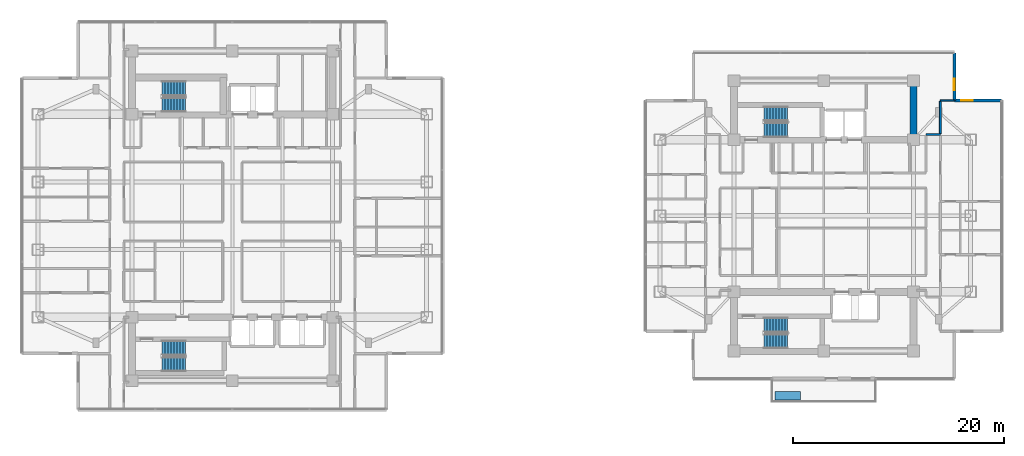
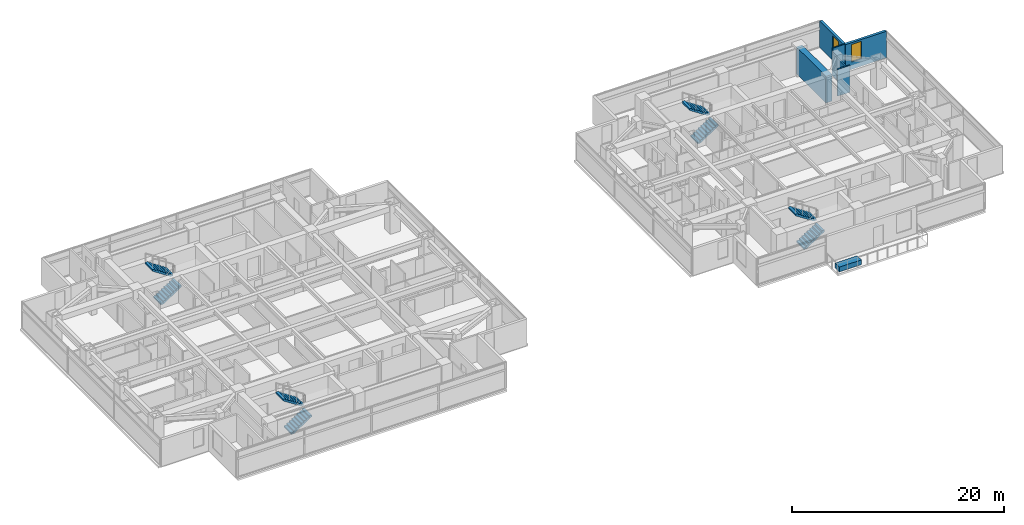
# One storey, part 19 of 24: 8 stair flights, 6 walls, 2 windows, 1 discrete accessory, 2 openings, 4 elements without a shape of their own.
"""IFC4 building model written with IfcOpenShell, lengths in metres."""

from ifc_helpers import new_model, si_unit, direction, frame, frame_2d, origin, origin_2d, place, context, subcontext, project, spatial, polyline, rectangle, outline, extrude, material, layer, layer_set, type_object, element, fill, aggregate, save


model = new_model("IFC4")

# Units and contexts
model_context = context("Model", 3, precision=1e-05, world=origin(), true_north=direction((0.0, 1.0)))
body_context = subcontext(model_context, "Body", "Model", "MODEL_VIEW")
ifc_project = project(units=[si_unit("LENGTHUNIT", "METRE"), si_unit("AREAUNIT", "SQUARE_METRE"), si_unit("VOLUMEUNIT", "CUBIC_METRE"), si_unit("PLANEANGLEUNIT", "RADIAN"), si_unit("MASSUNIT", "GRAM", prefix="KILO")], contexts=[model_context])

# Site, building, storey
site_placement = place(None, origin())
site = spatial("IfcSite", under=ifc_project, at=site_placement, CompositionType="ELEMENT")
building_placement = place(site_placement, origin())
building = spatial("IfcBuilding", under=site, at=building_placement, Name="Mirazonda Arch Towers", CompositionType="ELEMENT")
storey_placement = place(building_placement, frame((0.0, 0.0, 118.10009765625)))
storey = spatial("IfcBuildingStorey", under=building, at=storey_placement, Name="L33", CompositionType="ELEMENT", Elevation=118.10009765625)

# Wall
ifc_material_1 = material(Name="Concrete C60/75", Category="concrete")
ifc_layer_1 = layer(ifc_material_1, 0.64990234375, Name="WALL-CORE-650")
ifc_layer_set_1 = layer_set([ifc_layer_1], Name="Concrete C60/75")
wall_type_1 = type_object("IfcWallType", Name="WALL-CORE-650", PredefinedType="SHEAR", material=ifc_layer_set_1)
wall_1_placement = place(storey_placement, frame((85.0, 35.199951171875, 0.0), z_axis=(0.0, 0.0, 1.0), x_axis=(0.0, 1.0, 0.0)))
element("IfcWall", 1, at=wall_1_placement, inside=storey, type_object=wall_type_1, Name="L33 T2N-E Core Shear Wall", PredefinedType="SHEAR", context=body_context, shape_type="SweptSolid", body=[
    extrude(rectangle(XDim=5.60009765625, YDim=0.64990234375, at=frame_2d((2.800048828125, 0.0))), origin(), (0.0, 0.0, 1.0), 3.079833984375),
])

# Wall, opening, window
ifc_material_2 = material(Name="Precast Concrete C40/50", Category="concrete")
ifc_layer_2 = layer(ifc_material_2, 0.280029296875, Name="WALL-EXT-WALL-280")
ifc_layer_set_2 = layer_set([ifc_layer_2], Name="Precast Concrete C40/50")
wall_type_2 = type_object("IfcWallType", Name="WALL-EXT-WALL-280", PredefinedType="SOLIDWALL", material=ifc_layer_set_2)
wall_2_placement = place(storey_placement, frame((88.8583984375, 38.9326171875, 0.0), z_axis=(0.0, 0.0, 1.0), x_axis=(0.0, 1.0, 0.0)))
wall_2 = element("IfcWall", 2, at=wall_2_placement, inside=storey, type_object=wall_type_2, Name="L33 T2 Notched NE Corner Wall WL-L33-T2-CNE", PredefinedType="SOLIDWALL", context=body_context, shape_type="SweptSolid", body=[
    extrude(rectangle(XDim=4.486328125, YDim=0.280029296875, at=frame_2d((2.2431640625, 0.0))), origin(), (0.0, 0.0, 1.0), 3.059814453125),
])
opening_1_placement = place(wall_2_placement, frame((0.949951171875, 0.0, 0.85009765625)))
opening_1 = element("IfcOpeningElement", 3, at=opening_1_placement, cuts=wall_2, Name="Opening WN-108", PredefinedType="OPENING", context=body_context, shape_type="SweptSolid", body=[
    extrude(rectangle(XDim=1.10009765625, YDim=2.0, at=frame_2d((0.550048828125, 1.0))), frame((0.0, 0.14990234375, 0.0), z_axis=(0.0, -1.0, 0.0), x_axis=(1.0, 0.0, 0.0)), (0.0, 0.0, 1.0), 0.300048828125),
])
ifc_material_3 = material(Name="Insulated Low-E Solar Glass", Category="glass")
window_type = type_object("IfcWindowType", Name="WIN-NOTCH-1100x2000", PartitioningType="SINGLE_PANEL", PredefinedType="WINDOW", material=ifc_material_3)
window_1_placement = place(opening_1_placement, origin())
window_1 = element("IfcWindow", 4, at=window_1_placement, inside=storey, type_object=window_type, Name="L33 Punched Facade Window WN-L33-T2-CNE", OverallHeight=2.0, OverallWidth=1.10009765625, PartitioningType="SINGLE_PANEL", PredefinedType="WINDOW", context=body_context, shape_type="SweptSolid", body=[
    extrude(rectangle(XDim=1.10009765625, YDim=2.0, at=frame_2d((0.550048828125, 1.0))), frame((0.0, 0.030029296875, 0.0), z_axis=(0.0, -1.0, 0.0), x_axis=(1.0, 0.0, 0.0)), (0.0, 0.0, 1.0), 0.06005859375),
])
fill(opening_1, window_1)

wall_3_placement = place(storey_placement, frame((93.344970703125, 38.9326171875, 0.0), z_axis=(0.0, 0.0, 1.0), x_axis=(-1.0, 0.0, 0.0)))
wall_3 = element("IfcWall", 5, at=wall_3_placement, inside=storey, type_object=wall_type_2, Name="L33 T2 Corner Notch Return Wall WL-L33-T2-CNE2", PredefinedType="SOLIDWALL", context=body_context, shape_type="SweptSolid", body=[
    extrude(rectangle(XDim=4.486572265625, YDim=0.280029296875, at=frame_2d((2.2431640625, 0.0))), origin(), (0.0, 0.0, 1.0), 3.059814453125),
])
opening_2_placement = place(wall_3_placement, frame((2.737060546875, 0.0, 0.85009765625)))
opening_2 = element("IfcOpeningElement", 6, at=opening_2_placement, cuts=wall_3, Name="Opening WN-108", PredefinedType="OPENING", context=body_context, shape_type="SweptSolid", body=[
    extrude(rectangle(XDim=1.10009765625, YDim=2.0, at=frame_2d((0.550048828125, 1.0))), frame((0.0, 0.14990234375, 0.0), z_axis=(0.0, -1.0, 0.0), x_axis=(1.0, 0.0, 0.0)), (0.0, 0.0, 1.0), 0.300048828125),
])
window_2_placement = place(opening_2_placement, origin())
window_2 = element("IfcWindow", 7, at=window_2_placement, inside=storey, type_object=window_type, Name="L33 Punched Facade Window WN-L33-T2-CNE2", OverallHeight=2.0, OverallWidth=1.10009765625, PartitioningType="SINGLE_PANEL", PredefinedType="WINDOW", context=body_context, shape_type="SweptSolid", body=[
    extrude(rectangle(XDim=1.10009765625, YDim=2.0, at=frame_2d((0.550048828125, 1.0))), frame((0.0, 0.030029296875, 0.0), z_axis=(0.0, -1.0, 0.0), x_axis=(1.0, 0.0, 0.0)), (0.0, 0.0, 1.0), 0.06005859375),
])
fill(opening_2, window_2)

# Walls
ifc_material_4 = material(Name="Fire-Rated Gypsum Stud Partition")
ifc_layer_3 = layer(ifc_material_4, 0.14990234375, Name="WALL-PART-CORR-150")
ifc_layer_set_3 = layer_set([ifc_layer_3], Name="Fire-Rated Gypsum Stud Partition")
wall_type_3 = type_object("IfcWallType", Name="WALL-PART-CORR-150", PredefinedType="PARTITIONING", material=ifc_layer_set_3)
wall_4_placement = place(storey_placement, frame((86.179931640625, 35.699951171875, 0.0), z_axis=(0.0, 0.0, 1.0), x_axis=(1.0, 0.0, 0.0)))
element("IfcWall", 8, at=wall_4_placement, inside=storey, type_object=wall_type_3, Name="L33 Interior Partition 053", PredefinedType="PARTITIONING", context=body_context, shape_type="SweptSolid", body=[
    extrude(rectangle(XDim=1.360107421875, YDim=0.14990234375, at=frame_2d((0.68017578125, 0.0))), origin(), (0.0, 0.0, 1.0), 3.079833984375),
])
wall_5_placement = place(storey_placement, frame((87.5400390625, 38.93310546875, 0.0), z_axis=(0.0, 0.0, 1.0), x_axis=(1.0, 0.0, 0.0)))
element("IfcWall", 9, at=wall_5_placement, inside=storey, type_object=wall_type_3, Name="L33 Interior Partition 057", PredefinedType="PARTITIONING", context=body_context, shape_type="SweptSolid", body=[
    extrude(rectangle(XDim=1.29833984375, YDim=0.14990234375, at=frame_2d((0.649169921875, 0.0))), origin(), (0.0, 0.0, 1.0), 3.079833984375),
])
ifc_material_5 = material(Name="Fire-Rated Gypsum Twin-Stud Assembly")
ifc_layer_4 = layer(ifc_material_5, 0.179931640625, Name="WALL-PART-DEMISE-180")
ifc_layer_set_4 = layer_set([ifc_layer_4], Name="Fire-Rated Gypsum Twin-Stud Assembly")
wall_type_4 = type_object("IfcWallType", Name="WALL-PART-DEMISE-180", PredefinedType="PARTITIONING", material=ifc_layer_set_4)
wall_6_placement = place(storey_placement, frame((87.5400390625, 35.784912109375, 0.0), z_axis=(0.0, 0.0, 1.0), x_axis=(0.0, 1.0, 0.0)))
element("IfcWall", 10, at=wall_6_placement, inside=storey, type_object=wall_type_4, Name="L33 Interior Partition 161", PredefinedType="PARTITIONING", context=body_context, shape_type="SweptSolid", body=[
    extrude(rectangle(XDim=3.06298828125, YDim=0.179931640625, at=frame_2d((1.531494140625, 0.0))), origin(), (0.0, 0.0, 1.0), 2.52294921875),
])

# Stair, stair flights
ifc_material_6 = material(Name="Concrete C40/50", Category="concrete")
stair_type = type_object("IfcStairType", Name="STAIR-CORE-1400", PredefinedType="HALF_TURN_STAIR", material=ifc_material_6)
stair_1_placement = place(storey_placement, origin())
stair_1 = element("IfcStair", 11, at=stair_1_placement, inside=storey, type_object=stair_type, Name="L33 Protected Exit Stair ST-T1N", PredefinedType="HALF_TURN_STAIR")
stair_flight_type = type_object("IfcStairFlightType", Name="FLIGHT-1400", PredefinedType="STRAIGHT", material=ifc_material_6)
stair_flight_1_placement = place(storey_placement, frame((13.85009765625, 38.52001953125, 0.0), z_axis=(0.0, 0.0, 1.0), x_axis=(1.0, 0.0, 0.0)))
stair_flight_1 = element("IfcStairFlight", 12, at=stair_flight_1_placement, type_object=stair_flight_type, Name="ST-T1N flight 1", NumberOfRisers=9, NumberOfTreads=8, PredefinedType="STRAIGHT", RiserHeight=0.183333333, TreadLength=0.28, context=body_context, shape_type="SweptSolid", body=[
    extrude(outline(polyline([(0.0, 0.0), (0.0, 0.183349609375), (0.280029296875, 0.183349609375), (0.280029296875, 0.36669921875), (0.56005859375, 0.36669921875), (0.56005859375, 0.550048828125), (0.840087890625, 0.550048828125), (0.840087890625, 0.7333984375), (1.1201171875, 0.7333984375), (1.1201171875, 0.916748046875), (1.39990234375, 0.916748046875), (1.39990234375, 1.10009765625), (1.679931640625, 1.10009765625), (1.679931640625, 1.283447265625), (1.9599609375, 1.283447265625), (1.9599609375, 1.466552734375), (2.239990234375, 1.466552734375), (2.239990234375, 1.64990234375), (2.239990234375, 1.275634765625), (0.2919921875, 0.0), (0.0, 0.0)])), frame((0.0, 0.699951171875, 0.0), z_axis=(0.0, -1.0, 0.0), x_axis=(1.0, 0.0, 0.0)), (0.0, 0.0, 1.0), 1.39990234375),
])
stair_flight_2_placement = place(storey_placement, frame((16.090087890625, 40.06005859375, 1.64990234375), z_axis=(0.0, 0.0, 1.0), x_axis=(-1.0, 0.0, 0.0)))
stair_flight_2 = element("IfcStairFlight", 13, at=stair_flight_2_placement, type_object=stair_flight_type, Name="ST-T1N flight 2", NumberOfRisers=9, NumberOfTreads=8, PredefinedType="STRAIGHT", RiserHeight=0.183333333, TreadLength=0.28, context=body_context, shape_type="SweptSolid", body=[
    extrude(outline(polyline([(0.0, 0.0), (0.0, 0.183349609375), (0.280029296875, 0.183349609375), (0.280029296875, 0.36669921875), (0.56005859375, 0.36669921875), (0.56005859375, 0.550048828125), (0.840087890625, 0.550048828125), (0.840087890625, 0.7333984375), (1.1201171875, 0.7333984375), (1.1201171875, 0.916748046875), (1.39990234375, 0.916748046875), (1.39990234375, 1.10009765625), (1.679931640625, 1.10009765625), (1.679931640625, 1.283447265625), (1.9599609375, 1.283447265625), (1.9599609375, 1.466552734375), (2.239990234375, 1.466552734375), (2.239990234375, 1.64990234375), (2.239990234375, 1.275634765625), (0.2919921875, 0.0), (0.0, 0.0)])), frame((0.0, 0.699951171875, 0.0), z_axis=(0.0, -1.0, 0.0), x_axis=(1.0, 0.0, 0.0)), (0.0, 0.0, 1.0), 1.39990234375),
])
aggregate(stair_1, [stair_flight_1, stair_flight_2])

stair_2_placement = place(storey_placement, origin())
stair_2 = element("IfcStair", 14, at=stair_2_placement, inside=storey, type_object=stair_type, Name="L33 Protected Exit Stair ST-T1S", PredefinedType="HALF_TURN_STAIR")
stair_flight_3_placement = place(storey_placement, frame((13.85009765625, 13.949951171875, 0.0), z_axis=(0.0, 0.0, 1.0), x_axis=(1.0, 0.0, 0.0)))
stair_flight_3 = element("IfcStairFlight", 15, at=stair_flight_3_placement, type_object=stair_flight_type, Name="ST-T1S flight 1", NumberOfRisers=9, NumberOfTreads=8, PredefinedType="STRAIGHT", RiserHeight=0.183333333, TreadLength=0.28, context=body_context, shape_type="SweptSolid", body=[
    extrude(outline(polyline([(0.0, 0.0), (0.0, 0.183349609375), (0.280029296875, 0.183349609375), (0.280029296875, 0.36669921875), (0.56005859375, 0.36669921875), (0.56005859375, 0.550048828125), (0.840087890625, 0.550048828125), (0.840087890625, 0.7333984375), (1.1201171875, 0.7333984375), (1.1201171875, 0.916748046875), (1.39990234375, 0.916748046875), (1.39990234375, 1.10009765625), (1.679931640625, 1.10009765625), (1.679931640625, 1.283447265625), (1.9599609375, 1.283447265625), (1.9599609375, 1.466552734375), (2.239990234375, 1.466552734375), (2.239990234375, 1.64990234375), (2.239990234375, 1.275634765625), (0.2919921875, 0.0), (0.0, 0.0)])), frame((0.0, 0.699951171875, 0.0), z_axis=(0.0, -1.0, 0.0), x_axis=(1.0, 0.0, 0.0)), (0.0, 0.0, 1.0), 1.39990234375),
])
stair_flight_4_placement = place(storey_placement, frame((16.090087890625, 15.489990234375, 1.64990234375), z_axis=(0.0, 0.0, 1.0), x_axis=(-1.0, 0.0, 0.0)))
stair_flight_4 = element("IfcStairFlight", 16, at=stair_flight_4_placement, type_object=stair_flight_type, Name="ST-T1S flight 2", NumberOfRisers=9, NumberOfTreads=8, PredefinedType="STRAIGHT", RiserHeight=0.183333333, TreadLength=0.28, context=body_context, shape_type="SweptSolid", body=[
    extrude(outline(polyline([(0.0, 0.0), (0.0, 0.183349609375), (0.280029296875, 0.183349609375), (0.280029296875, 0.36669921875), (0.56005859375, 0.36669921875), (0.56005859375, 0.550048828125), (0.840087890625, 0.550048828125), (0.840087890625, 0.7333984375), (1.1201171875, 0.7333984375), (1.1201171875, 0.916748046875), (1.39990234375, 0.916748046875), (1.39990234375, 1.10009765625), (1.679931640625, 1.10009765625), (1.679931640625, 1.283447265625), (1.9599609375, 1.283447265625), (1.9599609375, 1.466552734375), (2.239990234375, 1.466552734375), (2.239990234375, 1.64990234375), (2.239990234375, 1.275634765625), (0.2919921875, 0.0), (0.0, 0.0)])), frame((0.0, 0.699951171875, 0.0), z_axis=(0.0, -1.0, 0.0), x_axis=(1.0, 0.0, 0.0)), (0.0, 0.0, 1.0), 1.39990234375),
])
aggregate(stair_2, [stair_flight_3, stair_flight_4])

stair_3_placement = place(storey_placement, origin())
stair_3 = element("IfcStair", 17, at=stair_3_placement, inside=storey, type_object=stair_type, Name="L33 Protected Exit Stair ST-T2N", PredefinedType="HALF_TURN_STAIR")
stair_flight_5_placement = place(storey_placement, frame((70.85009765625, 36.1201171875, 0.0), z_axis=(0.0, 0.0, 1.0), x_axis=(1.0, 0.0, 0.0)))
stair_flight_5 = element("IfcStairFlight", 18, at=stair_flight_5_placement, type_object=stair_flight_type, Name="ST-T2N flight 1", NumberOfRisers=9, NumberOfTreads=8, PredefinedType="STRAIGHT", RiserHeight=0.183333333, TreadLength=0.28, context=body_context, shape_type="SweptSolid", body=[
    extrude(outline(polyline([(0.0, 0.0), (0.0, 0.183349609375), (0.280029296875, 0.183349609375), (0.280029296875, 0.36669921875), (0.56005859375, 0.36669921875), (0.56005859375, 0.550048828125), (0.840087890625, 0.550048828125), (0.840087890625, 0.7333984375), (1.1201171875, 0.7333984375), (1.1201171875, 0.916748046875), (1.39990234375, 0.916748046875), (1.39990234375, 1.10009765625), (1.679931640625, 1.10009765625), (1.679931640625, 1.283447265625), (1.9599609375, 1.283447265625), (1.9599609375, 1.466552734375), (2.239990234375, 1.466552734375), (2.239990234375, 1.64990234375), (2.239990234375, 1.275634765625), (0.2919921875, 0.0), (0.0, 0.0)])), frame((0.0, 0.699951171875, 0.0), z_axis=(0.0, -1.0, 0.0), x_axis=(1.0, 0.0, 0.0)), (0.0, 0.0, 1.0), 1.39990234375),
])
stair_flight_6_placement = place(storey_placement, frame((73.090087890625, 37.659912109375, 1.64990234375), z_axis=(0.0, 0.0, 1.0), x_axis=(-1.0, 0.0, 0.0)))
stair_flight_6 = element("IfcStairFlight", 19, at=stair_flight_6_placement, type_object=stair_flight_type, Name="ST-T2N flight 2", NumberOfRisers=9, NumberOfTreads=8, PredefinedType="STRAIGHT", RiserHeight=0.183333333, TreadLength=0.28, context=body_context, shape_type="SweptSolid", body=[
    extrude(outline(polyline([(0.0, 0.0), (0.0, 0.183349609375), (0.280029296875, 0.183349609375), (0.280029296875, 0.36669921875), (0.56005859375, 0.36669921875), (0.56005859375, 0.550048828125), (0.840087890625, 0.550048828125), (0.840087890625, 0.7333984375), (1.1201171875, 0.7333984375), (1.1201171875, 0.916748046875), (1.39990234375, 0.916748046875), (1.39990234375, 1.10009765625), (1.679931640625, 1.10009765625), (1.679931640625, 1.283447265625), (1.9599609375, 1.283447265625), (1.9599609375, 1.466552734375), (2.239990234375, 1.466552734375), (2.239990234375, 1.64990234375), (2.239990234375, 1.275634765625), (0.2919921875, 0.0), (0.0, 0.0)])), frame((0.0, 0.699951171875, 0.0), z_axis=(0.0, -1.0, 0.0), x_axis=(1.0, 0.0, 0.0)), (0.0, 0.0, 1.0), 1.39990234375),
])
aggregate(stair_3, [stair_flight_5, stair_flight_6])

stair_4_placement = place(storey_placement, origin())
stair_4 = element("IfcStair", 20, at=stair_4_placement, inside=storey, type_object=stair_type, Name="L33 Protected Exit Stair ST-T2S", PredefinedType="HALF_TURN_STAIR")
stair_flight_7_placement = place(storey_placement, frame((70.85009765625, 16.1201171875, 0.0), z_axis=(0.0, 0.0, 1.0), x_axis=(1.0, 0.0, 0.0)))
stair_flight_7 = element("IfcStairFlight", 21, at=stair_flight_7_placement, type_object=stair_flight_type, Name="ST-T2S flight 1", NumberOfRisers=9, NumberOfTreads=8, PredefinedType="STRAIGHT", RiserHeight=0.183333333, TreadLength=0.28, context=body_context, shape_type="SweptSolid", body=[
    extrude(outline(polyline([(0.0, 0.0), (0.0, 0.183349609375), (0.280029296875, 0.183349609375), (0.280029296875, 0.36669921875), (0.56005859375, 0.36669921875), (0.56005859375, 0.550048828125), (0.840087890625, 0.550048828125), (0.840087890625, 0.7333984375), (1.1201171875, 0.7333984375), (1.1201171875, 0.916748046875), (1.39990234375, 0.916748046875), (1.39990234375, 1.10009765625), (1.679931640625, 1.10009765625), (1.679931640625, 1.283447265625), (1.9599609375, 1.283447265625), (1.9599609375, 1.466552734375), (2.239990234375, 1.466552734375), (2.239990234375, 1.64990234375), (2.239990234375, 1.275634765625), (0.2919921875, 0.0), (0.0, 0.0)])), frame((0.0, 0.699951171875, 0.0), z_axis=(0.0, -1.0, 0.0), x_axis=(1.0, 0.0, 0.0)), (0.0, 0.0, 1.0), 1.39990234375),
])
stair_flight_8_placement = place(storey_placement, frame((73.090087890625, 17.659912109375, 1.64990234375), z_axis=(0.0, 0.0, 1.0), x_axis=(-1.0, 0.0, 0.0)))
stair_flight_8 = element("IfcStairFlight", 22, at=stair_flight_8_placement, type_object=stair_flight_type, Name="ST-T2S flight 2", NumberOfRisers=9, NumberOfTreads=8, PredefinedType="STRAIGHT", RiserHeight=0.183333333, TreadLength=0.28, context=body_context, shape_type="SweptSolid", body=[
    extrude(outline(polyline([(0.0, 0.0), (0.0, 0.183349609375), (0.280029296875, 0.183349609375), (0.280029296875, 0.36669921875), (0.56005859375, 0.36669921875), (0.56005859375, 0.550048828125), (0.840087890625, 0.550048828125), (0.840087890625, 0.7333984375), (1.1201171875, 0.7333984375), (1.1201171875, 0.916748046875), (1.39990234375, 0.916748046875), (1.39990234375, 1.10009765625), (1.679931640625, 1.10009765625), (1.679931640625, 1.283447265625), (1.9599609375, 1.283447265625), (1.9599609375, 1.466552734375), (2.239990234375, 1.466552734375), (2.239990234375, 1.64990234375), (2.239990234375, 1.275634765625), (0.2919921875, 0.0), (0.0, 0.0)])), frame((0.0, 0.699951171875, 0.0), z_axis=(0.0, -1.0, 0.0), x_axis=(1.0, 0.0, 0.0)), (0.0, 0.0, 1.0), 1.39990234375),
])
aggregate(stair_4, [stair_flight_7, stair_flight_8])

# Discrete accessory
ifc_material_7 = material(Name="Kiln-Fired Architectural Terracotta", Category="masonry")
discrete_accessory_type = type_object("IfcDiscreteAccessoryType", Name="PLANTER-TERRA", PredefinedType="USERDEFINED", material=ifc_material_7)
discrete_accessory_placement = place(storey_placement, frame((73.10009765625, 10.9609375, 0.0), z_axis=(0.0, 0.0, 1.0), x_axis=(1.0, 0.0, 0.0)))
element("IfcDiscreteAccessory", 23, at=discrete_accessory_placement, inside=storey, type_object=discrete_accessory_type, Name="L33 T2 Sky-Terrace Planter", ObjectType="PLANTER", PredefinedType="USERDEFINED", context=body_context, shape_type="SweptSolid", body=[
    extrude(rectangle(XDim=2.39990234375, YDim=0.800048828125, at=origin_2d()), origin(), (0.0, 0.0, 1.0), 0.550048828125),
])

save(model, "model.ifc")
